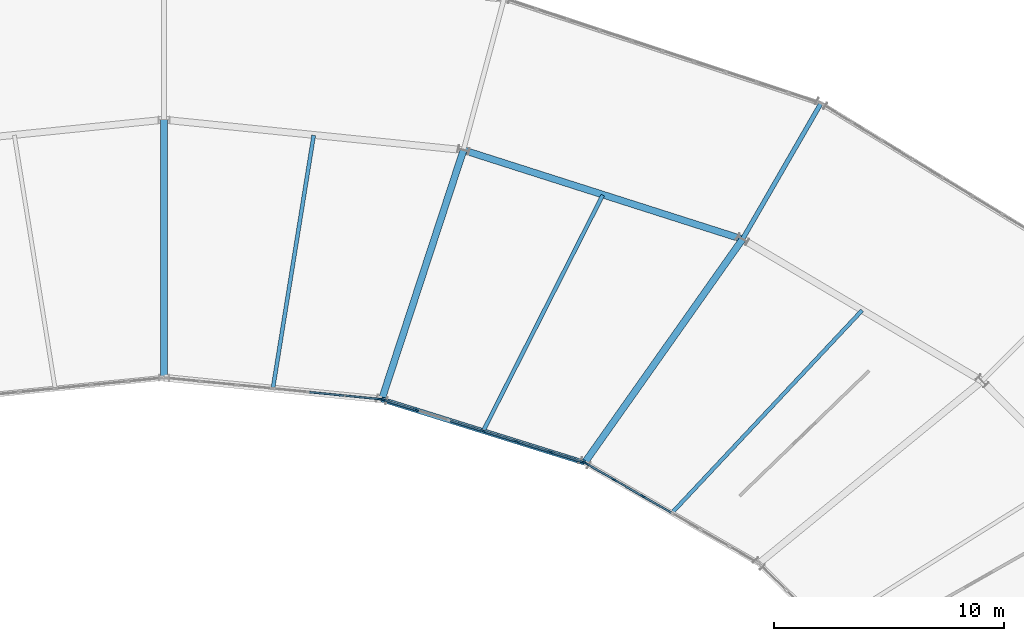
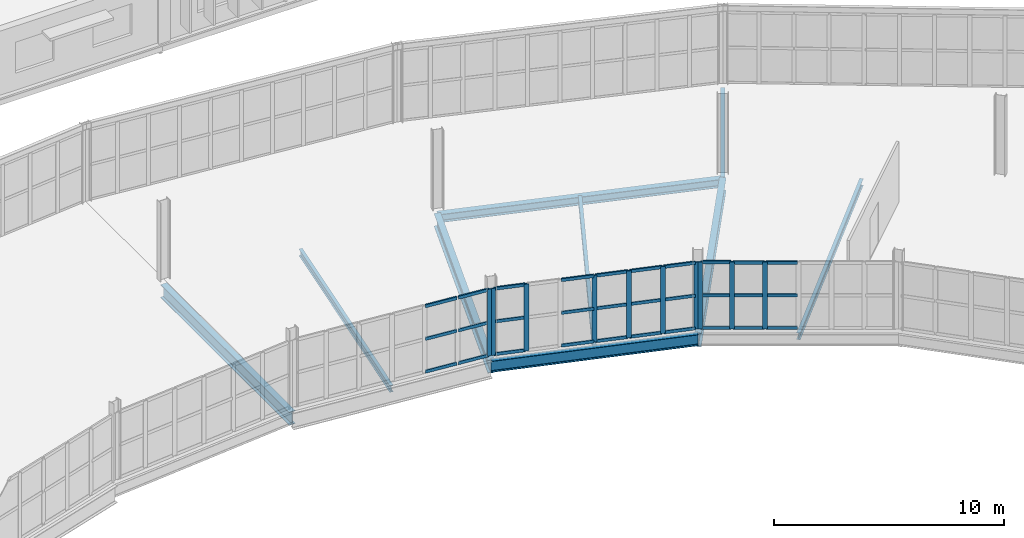
# One storey, part 69 of 161: 40 members, 9 beams, 3 elements without a shape of their own.
"""IFC4 building model written with IfcOpenShell, lengths in metres."""

from ifc_helpers import new_model, si_unit, direction, frame, origin, origin_2d, place, context, subcontext, project, spatial, rectangle, i_section, extrude, material, material_profile, profile_set, type_object, element, aggregate, save


model = new_model("IFC4")

# Units and contexts
model_context = context("Model", 3, precision=1e-05, world=origin(), true_north=direction((0.0, 1.0)))
body_context = subcontext(model_context, "Body", "Model", "MODEL_VIEW")
ifc_project = project(units=[si_unit("LENGTHUNIT", "METRE"), si_unit("AREAUNIT", "SQUARE_METRE"), si_unit("VOLUMEUNIT", "CUBIC_METRE"), si_unit("PLANEANGLEUNIT", "RADIAN"), si_unit("MASSUNIT", "GRAM", prefix="KILO")], contexts=[model_context])

# Site, building, storey
site_placement = place(None, origin())
site = spatial("IfcSite", under=ifc_project, at=site_placement, CompositionType="ELEMENT")
building_placement = place(site_placement, origin())
building = spatial("IfcBuilding", under=site, at=building_placement, Name="Kildeholm Park Wholesale Market", CompositionType="ELEMENT")
storey_placement = place(building_placement, frame((0.0, 0.0, 5.39990234375)))
storey = spatial("IfcBuildingStorey", under=building, at=storey_placement, Name="L01", CompositionType="ELEMENT", Elevation=5.39990234375)

# Beams
ifc_material_1 = material(Name="Steel S355", Category="steel")
ifc_material_profile_1 = material_profile(ifc_material_1, i_section(OverallWidth=0.300048828125, OverallDepth=0.699951171875, WebThickness=0.01708984375, FlangeThickness=0.031982421875, FilletRadius=0.027099609375, at=origin_2d()), Name="HEB 700")
ifc_profile_set_1 = profile_set([ifc_material_profile_1], Name="Steel S355")
beam_type_1 = type_object("IfcBeamType", Name="Beam B-G01 HEB 700", PredefinedType="BEAM", material=ifc_profile_set_1)
beam_1_placement = place(storey_placement, frame((117.25, 113.31591796875, -0.599853515625), z_axis=(0.576894674263, 0.816818544603, 0.0), x_axis=(-0.816818544603, 0.576894674263, 0.0)))
element("IfcBeam", 1, at=beam_1_placement, inside=storey, type_object=beam_type_1, Name="Beam BM-V1-L01-R1-04 BM-0037", PredefinedType="BEAM", context=body_context, shape_type="SweptSolid", body=[
    extrude(i_section(OverallWidth=0.300048828125, OverallDepth=0.699951171875, WebThickness=0.01708984375, FlangeThickness=0.031982421875, FilletRadius=0.027099609375, at=origin_2d()), origin(), (0.0, 0.0, 1.0), 11.8740234375),
])
beam_2_placement = place(storey_placement, frame((108.447021484375, 116.06298828125, -0.599853515625), z_axis=(0.31146940438, 0.950256181319, 0.0), x_axis=(-0.950256181319, 0.31146940438, 0.0)))
element("IfcBeam", 2, at=beam_2_placement, inside=storey, type_object=beam_type_1, Name="Beam BM-V1-L01-R1-05 BM-0047", PredefinedType="BEAM", context=body_context, shape_type="SweptSolid", body=[
    extrude(i_section(OverallWidth=0.300048828125, OverallDepth=0.699951171875, WebThickness=0.01708984375, FlangeThickness=0.031982421875, FilletRadius=0.027099609375, at=origin_2d()), origin(), (0.0, 0.0, 1.0), 11.384521484375),
])
beam_3_placement = place(storey_placement, frame((99.0, 117.0, -0.599853515625), z_axis=(0.0, 1.0, 0.0), x_axis=(-1.0, 0.0, 0.0)))
element("IfcBeam", 3, at=beam_3_placement, inside=storey, type_object=beam_type_1, Name="Beam BM-V1-L01-R1-06 BM-0056", PredefinedType="BEAM", context=body_context, shape_type="SweptSolid", body=[
    extrude(i_section(OverallWidth=0.300048828125, OverallDepth=0.699951171875, WebThickness=0.01708984375, FlangeThickness=0.031982421875, FilletRadius=0.027099609375, at=origin_2d()), origin(), (0.0, 0.0, 1.0), 11.199951171875),
])
ifc_material_profile_2 = material_profile(ifc_material_1, i_section(OverallWidth=0.199951171875, OverallDepth=0.5, WebThickness=0.01025390625, FlangeThickness=0.01611328125, FilletRadius=0.02099609375, at=origin_2d()), Name="IPE 500")
ifc_profile_set_2 = profile_set([ifc_material_profile_2], Name="Steel S355")
beam_type_2 = type_object("IfcBeamType", Name="Beam B-P03 IPE 500", PredefinedType="BEAM", material=ifc_profile_set_2)
beam_4_placement = place(storey_placement, frame((124.10009765625, 123.014892578125, -0.5), z_axis=(0.499977295307, 0.866038511948, 0.0), x_axis=(-0.866038511948, 0.499977295307, 0.0)))
element("IfcBeam", 4, at=beam_4_placement, inside=storey, type_object=beam_type_2, Name="Beam BM-V1-L01-R2-04 BM-0039", PredefinedType="BEAM", context=body_context, shape_type="SweptSolid", body=[
    extrude(i_section(OverallWidth=0.199951171875, OverallDepth=0.5, WebThickness=0.01025390625, FlangeThickness=0.01611328125, FilletRadius=0.02099609375, at=origin_2d()), origin(), (0.0, 0.0, 1.0), 6.800048828125),
])
ifc_material_profile_3 = material_profile(ifc_material_1, i_section(OverallWidth=0.219970703125, OverallDepth=0.60009765625, WebThickness=0.011962890625, FlangeThickness=0.01904296875, FilletRadius=0.02392578125, at=origin_2d()), Name="IPE 600")
ifc_profile_set_3 = profile_set([ifc_material_profile_3], Name="Steel S355")
beam_type_3 = type_object("IfcBeamType", Name="Beam B-P04 IPE 600", PredefinedType="BEAM", material=ifc_profile_set_3)
beam_5_placement = place(storey_placement, frame((117.25, 113.31591796875, -0.5498046875), z_axis=(-0.9545990852, 0.297893582568, 0.0), x_axis=(-0.297893582568, -0.9545990852, 0.0)))
element("IfcBeam", 5, at=beam_5_placement, inside=storey, type_object=beam_type_3, Name="Beam BM-V1-L01-CI-04 BM-0040", PredefinedType="BEAM", context=body_context, shape_type="SweptSolid", body=[
    extrude(i_section(OverallWidth=0.219970703125, OverallDepth=0.60009765625, WebThickness=0.011962890625, FlangeThickness=0.01904296875, FilletRadius=0.02392578125, at=origin_2d()), origin(), (0.0, 0.0, 1.0), 9.2216796875),
])
ifc_material_profile_4 = material_profile(ifc_material_1, i_section(OverallWidth=0.300048828125, OverallDepth=0.43994140625, WebThickness=0.011474609375, FlangeThickness=0.02099609375, FilletRadius=0.027099609375, at=origin_2d()), Name="HEA 450")
ifc_profile_set_4 = profile_set([ifc_material_profile_4], Name="Steel S355")
beam_type_4 = type_object("IfcBeamType", Name="Beam B-R02 HEA 450", PredefinedType="BEAM", material=ifc_profile_set_4)
beam_6_placement = place(storey_placement, frame((124.10009765625, 123.014892578125, -0.469970703125), z_axis=(-0.952608649326, 0.304198555599, 0.0), x_axis=(-0.304198555599, -0.952608649326, 0.0)))
element("IfcBeam", 6, at=beam_6_placement, inside=storey, type_object=beam_type_4, Name="Beam BM-V1-L01-CM-04 BM-0041", PredefinedType="BEAM", context=body_context, shape_type="SweptSolid", body=[
    extrude(i_section(OverallWidth=0.300048828125, OverallDepth=0.43994140625, WebThickness=0.011474609375, FlangeThickness=0.02099609375, FilletRadius=0.027099609375, at=origin_2d()), origin(), (0.0, 0.0, 1.0), 12.70947265625),
])
ifc_material_profile_5 = material_profile(ifc_material_1, i_section(OverallWidth=0.169921875, OverallDepth=0.360107421875, WebThickness=0.008056640625, FlangeThickness=0.0126953125, FilletRadius=0.01806640625, at=origin_2d()), Name="IPE 360")
ifc_profile_set_5 = profile_set([ifc_material_profile_5], Name="Steel S355")
beam_type_5 = type_object("IfcBeamType", Name="Beam J-04 IPE 360", PredefinedType="JOIST", material=ifc_profile_set_5)
beam_7_placement = place(storey_placement, frame((121.043212890625, 111.14501953125, -0.429931640625), z_axis=(0.68439148237, 0.729114736416, 0.0), x_axis=(-0.729114736416, 0.68439148237, 0.0)))
element("IfcBeam", 7, at=beam_7_placement, inside=storey, type_object=beam_type_5, Name="Beam JT-V1-L01-03 BM-0036", PredefinedType="JOIST", context=body_context, shape_type="SweptSolid", body=[
    extrude(i_section(OverallWidth=0.169921875, OverallDepth=0.360107421875, WebThickness=0.008056640625, FlangeThickness=0.0126953125, FilletRadius=0.01806640625, at=origin_2d()), origin(), (0.0, 0.0, 1.0), 12.04248046875),
])
beam_8_placement = place(storey_placement, frame((112.857421875, 114.707275390625, -0.429931640625), z_axis=(0.452004571782, 0.892015620428, 0.0), x_axis=(-0.892015620428, 0.452004571782, 0.0)))
element("IfcBeam", 8, at=beam_8_placement, inside=storey, type_object=beam_type_5, Name="Beam JT-V1-L01-04 BM-0045", PredefinedType="JOIST", context=body_context, shape_type="SweptSolid", body=[
    extrude(i_section(OverallWidth=0.169921875, OverallDepth=0.360107421875, WebThickness=0.008056640625, FlangeThickness=0.0126953125, FilletRadius=0.01806640625, at=origin_2d()), origin(), (0.0, 0.0, 1.0), 11.46044921875),
])
beam_9_placement = place(storey_placement, frame((103.726806640625, 116.55126953125, -0.429931640625), z_axis=(0.158998239013, 0.987278866375, 0.0), x_axis=(-0.987278866375, 0.158998239013, 0.0)))
element("IfcBeam", 9, at=beam_9_placement, inside=storey, type_object=beam_type_5, Name="Beam JT-V1-L01-05 BM-0055", PredefinedType="JOIST", context=body_context, shape_type="SweptSolid", body=[
    extrude(i_section(OverallWidth=0.169921875, OverallDepth=0.360107421875, WebThickness=0.008056640625, FlangeThickness=0.0126953125, FilletRadius=0.01806640625, at=origin_2d()), origin(), (0.0, 0.0, 1.0), 11.11083984375),
])

# Curtain wall, members
ifc_material_2 = material(Name="Anodised aluminium and low-E double-glazed glass", Category="aluminium")
curtain_wall_type = type_object("IfcCurtainWallType", Name="Market hall glazed arcade stick curtain wall CW-01", PredefinedType="NOTDEFINED", material=ifc_material_2)
curtain_wall_1_placement = place(storey_placement, origin())
curtain_wall_1 = element("IfcCurtainWall", 10, at=curtain_wall_1_placement, inside=storey, type_object=curtain_wall_type, Name="Curtain wall CW-V1-IN1-03 CW-0019", PredefinedType="NOTDEFINED")
ifc_material_3 = material(Name="Anodised aluminium", Category="aluminium")
ifc_material_profile_6 = material_profile(ifc_material_3, rectangle(XDim=0.074951171875, YDim=0.219970703125, at=origin_2d()), Name="CWM 75x220")
ifc_profile_set_6 = profile_set([ifc_material_profile_6], Name="Anodised aluminium")
member_type_1 = type_object("IfcMemberType", Name="Curtain-wall mullion CWM-2 CWM 75x220", PredefinedType="MULLION", material=ifc_profile_set_6)
member_1_placement = place(storey_placement, frame((119.78466796875, 111.855712890625, 0.0), z_axis=(0.0, 0.0, 1.0), x_axis=(-0.500489412982, -0.865742656621, 0.0)))
member_1 = element("IfcMember", 11, at=member_1_placement, type_object=member_type_1, Name="CW-01 mullion 5 MEM-0872", PredefinedType="MULLION", context=body_context, shape_type="SweptSolid", body=[
    extrude(rectangle(XDim=0.074951171875, YDim=0.219970703125, at=origin_2d()), origin(), (0.0, 0.0, 1.0), 3.550048828125),
])
member_2_placement = place(storey_placement, frame((118.536376953125, 112.577392578125, 0.0), z_axis=(0.0, 0.0, 1.0), x_axis=(-0.500489412982, -0.865742656621, 0.0)))
member_2 = element("IfcMember", 12, at=member_2_placement, type_object=member_type_1, Name="CW-01 mullion 6 MEM-0873", PredefinedType="MULLION", context=body_context, shape_type="SweptSolid", body=[
    extrude(rectangle(XDim=0.074951171875, YDim=0.219970703125, at=origin_2d()), origin(), (0.0, 0.0, 1.0), 3.550048828125),
])
member_3_placement = place(storey_placement, frame((117.320556640625, 113.2802734375, 0.0), z_axis=(0.0, 0.0, 1.0), x_axis=(-0.500489412982, -0.865742656621, 0.0)))
member_3 = element("IfcMember", 13, at=member_3_placement, type_object=member_type_1, Name="CW-01 mullion 7 MEM-0874", PredefinedType="MULLION", context=body_context, shape_type="SweptSolid", body=[
    extrude(rectangle(XDim=0.074951171875, YDim=0.219970703125, at=origin_2d()), origin(), (0.0, 0.0, 1.0), 3.550048828125),
])

curtain_wall_2_placement = place(storey_placement, origin())
curtain_wall_2 = element("IfcCurtainWall", 14, at=curtain_wall_2_placement, inside=storey, type_object=curtain_wall_type, Name="Curtain wall CW-V1-IN1-04 CW-0024", PredefinedType="NOTDEFINED")
member_4_placement = place(storey_placement, frame((117.17822265625, 113.34228515625, 0.0), z_axis=(0.0, 0.0, 1.0), x_axis=(-0.297957339818, -0.954579186683, 0.0)))
member_4 = element("IfcMember", 15, at=member_4_placement, type_object=member_type_1, Name="CW-01 mullion 1 MEM-1017", PredefinedType="MULLION", context=body_context, shape_type="SweptSolid", body=[
    extrude(rectangle(XDim=0.074951171875, YDim=0.219970703125, at=origin_2d()), origin(), (0.0, 0.0, 1.0), 3.550048828125),
])
member_5_placement = place(storey_placement, frame((115.759521484375, 113.784912109375, 0.0), z_axis=(0.0, 0.0, 1.0), x_axis=(-0.297957339818, -0.954579186683, 0.0)))
member_5 = element("IfcMember", 16, at=member_5_placement, type_object=member_type_1, Name="CW-01 mullion 2 MEM-1018", PredefinedType="MULLION", context=body_context, shape_type="SweptSolid", body=[
    extrude(rectangle(XDim=0.074951171875, YDim=0.219970703125, at=origin_2d()), origin(), (0.0, 0.0, 1.0), 3.550048828125),
])
member_6_placement = place(storey_placement, frame((114.304931640625, 114.239013671875, 0.0), z_axis=(0.0, 0.0, 1.0), x_axis=(-0.297957339818, -0.954579186683, 0.0)))
member_6 = element("IfcMember", 17, at=member_6_placement, type_object=member_type_1, Name="CW-01 mullion 3 MEM-1019", PredefinedType="MULLION", context=body_context, shape_type="SweptSolid", body=[
    extrude(rectangle(XDim=0.074951171875, YDim=0.219970703125, at=origin_2d()), origin(), (0.0, 0.0, 1.0), 3.550048828125),
])
member_7_placement = place(storey_placement, frame((112.8505859375, 114.693115234375, 0.0), z_axis=(0.0, 0.0, 1.0), x_axis=(-0.297957339818, -0.954579186683, 0.0)))
member_7 = element("IfcMember", 18, at=member_7_placement, type_object=member_type_1, Name="CW-01 mullion 4 MEM-1020", PredefinedType="MULLION", context=body_context, shape_type="SweptSolid", body=[
    extrude(rectangle(XDim=0.074951171875, YDim=0.219970703125, at=origin_2d()), origin(), (0.0, 0.0, 1.0), 3.550048828125),
])
member_8_placement = place(storey_placement, frame((109.94140625, 115.60107421875, 0.0), z_axis=(0.0, 0.0, 1.0), x_axis=(-0.297957339818, -0.954579186683, 0.0)))
member_8 = element("IfcMember", 19, at=member_8_placement, type_object=member_type_1, Name="CW-01 mullion 6 MEM-1022", PredefinedType="MULLION", context=body_context, shape_type="SweptSolid", body=[
    extrude(rectangle(XDim=0.074951171875, YDim=0.219970703125, at=origin_2d()), origin(), (0.0, 0.0, 1.0), 3.550048828125),
])
member_9_placement = place(storey_placement, frame((108.522705078125, 116.0439453125, 0.0), z_axis=(0.0, 0.0, 1.0), x_axis=(-0.297957339818, -0.954579186683, 0.0)))
member_9 = element("IfcMember", 20, at=member_9_placement, type_object=member_type_1, Name="CW-01 mullion 7 MEM-1023", PredefinedType="MULLION", context=body_context, shape_type="SweptSolid", body=[
    extrude(rectangle(XDim=0.074951171875, YDim=0.219970703125, at=origin_2d()), origin(), (0.0, 0.0, 1.0), 3.550048828125),
])

# Curtain wall, member
curtain_wall_3_placement = place(storey_placement, origin())
curtain_wall_3 = element("IfcCurtainWall", 21, at=curtain_wall_3_placement, inside=storey, type_object=curtain_wall_type, Name="Curtain wall CW-V1-IN1-05 CW-0028", PredefinedType="NOTDEFINED")
member_10_placement = place(storey_placement, frame((108.37060546875, 116.07470703125, 0.0), z_axis=(0.0, 0.0, 1.0), x_axis=(-0.098683331174, -0.995118887444, 0.0)))
member_10 = element("IfcMember", 22, at=member_10_placement, type_object=member_type_1, Name="CW-01 mullion 1 MEM-1145", PredefinedType="MULLION", context=body_context, shape_type="SweptSolid", body=[
    extrude(rectangle(XDim=0.074951171875, YDim=0.219970703125, at=origin_2d()), origin(), (0.0, 0.0, 1.0), 3.550048828125),
])

# Member
ifc_material_profile_7 = material_profile(ifc_material_3, rectangle(XDim=0.074951171875, YDim=0.159912109375, at=origin_2d()), Name="CWT 75x160")
ifc_profile_set_7 = profile_set([ifc_material_profile_7], Name="Anodised aluminium")
member_type_2 = type_object("IfcMemberType", Name="Curtain-wall transom CWT-2 CWT 75x160", PredefinedType="USERDEFINED", material=ifc_profile_set_7)
member_11_placement = place(storey_placement, frame((121.00048828125, 111.15283203125, 0.03759765625), z_axis=(-0.865748132987, 0.500479939887, 0.0), x_axis=(-0.500479939887, -0.865748132987, 0.0)))
member_11 = element("IfcMember", 23, at=member_11_placement, type_object=member_type_2, Name="CW-01 transom 4.1 MEM-0884", ObjectType="TRANSOM", PredefinedType="USERDEFINED", context=body_context, shape_type="SweptSolid", body=[
    extrude(rectangle(XDim=0.074951171875, YDim=0.159912109375, at=origin_2d()), origin(), (0.0, 0.0, 1.0), 1.366943359375),
])

member_12_placement = place(storey_placement, frame((121.00048828125, 111.15283203125, 1.775146484375), z_axis=(-0.865748132987, 0.500479939887, 0.0), x_axis=(-0.500479939887, -0.865748132987, 0.0)))
member_12 = element("IfcMember", 24, at=member_12_placement, type_object=member_type_2, Name="CW-01 transom 4.2 MEM-0885", ObjectType="TRANSOM", PredefinedType="USERDEFINED", context=body_context, shape_type="SweptSolid", body=[
    extrude(rectangle(XDim=0.074951171875, YDim=0.159912109375, at=origin_2d()), origin(), (0.0, 0.0, 1.0), 1.366943359375),
])

member_13_placement = place(storey_placement, frame((121.00048828125, 111.15283203125, 3.5126953125), z_axis=(-0.865748132987, 0.500479939887, 0.0), x_axis=(-0.500479939887, -0.865748132987, 0.0)))
member_13 = element("IfcMember", 25, at=member_13_placement, type_object=member_type_2, Name="CW-01 transom 4.3 MEM-0886", ObjectType="TRANSOM", PredefinedType="USERDEFINED", context=body_context, shape_type="SweptSolid", body=[
    extrude(rectangle(XDim=0.074951171875, YDim=0.159912109375, at=origin_2d()), origin(), (0.0, 0.0, 1.0), 1.366943359375),
])

member_14_placement = place(storey_placement, frame((119.752197265625, 111.87451171875, 0.03759765625), z_axis=(-0.865748132987, 0.500479939887, 0.0), x_axis=(-0.500479939887, -0.865748132987, 0.0)))
member_14 = element("IfcMember", 26, at=member_14_placement, type_object=member_type_2, Name="CW-01 transom 5.1 MEM-0887", ObjectType="TRANSOM", PredefinedType="USERDEFINED", context=body_context, shape_type="SweptSolid", body=[
    extrude(rectangle(XDim=0.074951171875, YDim=0.159912109375, at=origin_2d()), origin(), (0.0, 0.0, 1.0), 1.366943359375),
])

member_15_placement = place(storey_placement, frame((119.752197265625, 111.87451171875, 1.775146484375), z_axis=(-0.865748132987, 0.500479939887, 0.0), x_axis=(-0.500479939887, -0.865748132987, 0.0)))
member_15 = element("IfcMember", 27, at=member_15_placement, type_object=member_type_2, Name="CW-01 transom 5.2 MEM-0888", ObjectType="TRANSOM", PredefinedType="USERDEFINED", context=body_context, shape_type="SweptSolid", body=[
    extrude(rectangle(XDim=0.074951171875, YDim=0.159912109375, at=origin_2d()), origin(), (0.0, 0.0, 1.0), 1.366943359375),
])

member_16_placement = place(storey_placement, frame((119.752197265625, 111.87451171875, 3.5126953125), z_axis=(-0.865748132987, 0.500479939887, 0.0), x_axis=(-0.500479939887, -0.865748132987, 0.0)))
member_16 = element("IfcMember", 28, at=member_16_placement, type_object=member_type_2, Name="CW-01 transom 5.3 MEM-0889", ObjectType="TRANSOM", PredefinedType="USERDEFINED", context=body_context, shape_type="SweptSolid", body=[
    extrude(rectangle(XDim=0.074951171875, YDim=0.159912109375, at=origin_2d()), origin(), (0.0, 0.0, 1.0), 1.366943359375),
])

member_17_placement = place(storey_placement, frame((118.50390625, 112.59619140625, 0.03759765625), z_axis=(-0.865757211821, 0.500464234666, 0.0), x_axis=(-0.500464234666, -0.865757211821, 0.0)))
member_17 = element("IfcMember", 29, at=member_17_placement, type_object=member_type_2, Name="CW-01 transom 6.1 MEM-0890", ObjectType="TRANSOM", PredefinedType="USERDEFINED", context=body_context, shape_type="SweptSolid", body=[
    extrude(rectangle(XDim=0.074951171875, YDim=0.159912109375, at=origin_2d()), origin(), (0.0, 0.0, 1.0), 1.329345703125),
])

member_18_placement = place(storey_placement, frame((118.50390625, 112.59619140625, 1.775146484375), z_axis=(-0.865757211821, 0.500464234666, 0.0), x_axis=(-0.500464234666, -0.865757211821, 0.0)))
member_18 = element("IfcMember", 30, at=member_18_placement, type_object=member_type_2, Name="CW-01 transom 6.2 MEM-0891", ObjectType="TRANSOM", PredefinedType="USERDEFINED", context=body_context, shape_type="SweptSolid", body=[
    extrude(rectangle(XDim=0.074951171875, YDim=0.159912109375, at=origin_2d()), origin(), (0.0, 0.0, 1.0), 1.329345703125),
])

member_19_placement = place(storey_placement, frame((118.50390625, 112.59619140625, 3.5126953125), z_axis=(-0.865757211821, 0.500464234666, 0.0), x_axis=(-0.500464234666, -0.865757211821, 0.0)))
member_19 = element("IfcMember", 31, at=member_19_placement, type_object=member_type_2, Name="CW-01 transom 6.3 MEM-0892", ObjectType="TRANSOM", PredefinedType="USERDEFINED", context=body_context, shape_type="SweptSolid", body=[
    extrude(rectangle(XDim=0.074951171875, YDim=0.159912109375, at=origin_2d()), origin(), (0.0, 0.0, 1.0), 1.329345703125),
])

aggregate(curtain_wall_1, [member_1, member_2, member_3, member_11, member_12, member_13, member_14, member_15, member_16, member_17, member_18, member_19])

member_20_placement = place(storey_placement, frame((117.142333984375, 113.353271484375, 0.03759765625), z_axis=(-0.954532299309, 0.298107513451, 0.0), x_axis=(-0.298107513451, -0.954532299309, 0.0)))
member_20 = element("IfcMember", 32, at=member_20_placement, type_object=member_type_2, Name="CW-01 transom 1.1 MEM-1024", ObjectType="TRANSOM", PredefinedType="USERDEFINED", context=body_context, shape_type="SweptSolid", body=[
    extrude(rectangle(XDim=0.074951171875, YDim=0.159912109375, at=origin_2d()), origin(), (0.0, 0.0, 1.0), 1.4111328125),
])

member_21_placement = place(storey_placement, frame((117.142333984375, 113.353271484375, 1.775146484375), z_axis=(-0.954532299309, 0.298107513451, 0.0), x_axis=(-0.298107513451, -0.954532299309, 0.0)))
member_21 = element("IfcMember", 33, at=member_21_placement, type_object=member_type_2, Name="CW-01 transom 1.2 MEM-1025", ObjectType="TRANSOM", PredefinedType="USERDEFINED", context=body_context, shape_type="SweptSolid", body=[
    extrude(rectangle(XDim=0.074951171875, YDim=0.159912109375, at=origin_2d()), origin(), (0.0, 0.0, 1.0), 1.4111328125),
])

member_22_placement = place(storey_placement, frame((117.142333984375, 113.353271484375, 3.5126953125), z_axis=(-0.954532299309, 0.298107513451, 0.0), x_axis=(-0.298107513451, -0.954532299309, 0.0)))
member_22 = element("IfcMember", 34, at=member_22_placement, type_object=member_type_2, Name="CW-01 transom 1.3 MEM-1026", ObjectType="TRANSOM", PredefinedType="USERDEFINED", context=body_context, shape_type="SweptSolid", body=[
    extrude(rectangle(XDim=0.074951171875, YDim=0.159912109375, at=origin_2d()), origin(), (0.0, 0.0, 1.0), 1.4111328125),
])

member_23_placement = place(storey_placement, frame((115.7236328125, 113.796142578125, 0.03759765625), z_axis=(-0.954575890989, 0.297967898176, 0.0), x_axis=(-0.297967898176, -0.954575890989, 0.0)))
member_23 = element("IfcMember", 35, at=member_23_placement, type_object=member_type_2, Name="CW-01 transom 2.1 MEM-1027", ObjectType="TRANSOM", PredefinedType="USERDEFINED", context=body_context, shape_type="SweptSolid", body=[
    extrude(rectangle(XDim=0.074951171875, YDim=0.159912109375, at=origin_2d()), origin(), (0.0, 0.0, 1.0), 1.44873046875),
])

member_24_placement = place(storey_placement, frame((115.7236328125, 113.796142578125, 1.775146484375), z_axis=(-0.954575890989, 0.297967898176, 0.0), x_axis=(-0.297967898176, -0.954575890989, 0.0)))
member_24 = element("IfcMember", 36, at=member_24_placement, type_object=member_type_2, Name="CW-01 transom 2.2 MEM-1028", ObjectType="TRANSOM", PredefinedType="USERDEFINED", context=body_context, shape_type="SweptSolid", body=[
    extrude(rectangle(XDim=0.074951171875, YDim=0.159912109375, at=origin_2d()), origin(), (0.0, 0.0, 1.0), 1.44873046875),
])

member_25_placement = place(storey_placement, frame((115.7236328125, 113.796142578125, 3.5126953125), z_axis=(-0.954575890989, 0.297967898176, 0.0), x_axis=(-0.297967898176, -0.954575890989, 0.0)))
member_25 = element("IfcMember", 37, at=member_25_placement, type_object=member_type_2, Name="CW-01 transom 2.3 MEM-1029", ObjectType="TRANSOM", PredefinedType="USERDEFINED", context=body_context, shape_type="SweptSolid", body=[
    extrude(rectangle(XDim=0.074951171875, YDim=0.159912109375, at=origin_2d()), origin(), (0.0, 0.0, 1.0), 1.44873046875),
])

member_26_placement = place(storey_placement, frame((114.269287109375, 114.250244140625, 0.03759765625), z_axis=(-0.954590850637, 0.297919968919, 0.0), x_axis=(-0.297919968919, -0.954590850637, 0.0)))
member_26 = element("IfcMember", 38, at=member_26_placement, type_object=member_type_2, Name="CW-01 transom 3.1 MEM-1030", ObjectType="TRANSOM", PredefinedType="USERDEFINED", context=body_context, shape_type="SweptSolid", body=[
    extrude(rectangle(XDim=0.074951171875, YDim=0.159912109375, at=origin_2d()), origin(), (0.0, 0.0, 1.0), 1.44873046875),
])

member_27_placement = place(storey_placement, frame((114.269287109375, 114.250244140625, 1.775146484375), z_axis=(-0.954590850637, 0.297919968919, 0.0), x_axis=(-0.297919968919, -0.954590850637, 0.0)))
member_27 = element("IfcMember", 39, at=member_27_placement, type_object=member_type_2, Name="CW-01 transom 3.2 MEM-1031", ObjectType="TRANSOM", PredefinedType="USERDEFINED", context=body_context, shape_type="SweptSolid", body=[
    extrude(rectangle(XDim=0.074951171875, YDim=0.159912109375, at=origin_2d()), origin(), (0.0, 0.0, 1.0), 1.44873046875),
])

member_28_placement = place(storey_placement, frame((114.269287109375, 114.250244140625, 3.5126953125), z_axis=(-0.954590850637, 0.297919968919, 0.0), x_axis=(-0.297919968919, -0.954590850637, 0.0)))
member_28 = element("IfcMember", 40, at=member_28_placement, type_object=member_type_2, Name="CW-01 transom 3.3 MEM-1032", ObjectType="TRANSOM", PredefinedType="USERDEFINED", context=body_context, shape_type="SweptSolid", body=[
    extrude(rectangle(XDim=0.074951171875, YDim=0.159912109375, at=origin_2d()), origin(), (0.0, 0.0, 1.0), 1.44873046875),
])

member_29_placement = place(storey_placement, frame((112.814697265625, 114.7041015625, 0.03759765625), z_axis=(-0.954575890989, 0.297967898176, 0.0), x_axis=(-0.297967898176, -0.954575890989, 0.0)))
member_29 = element("IfcMember", 41, at=member_29_placement, type_object=member_type_2, Name="CW-01 transom 4.1 MEM-1033", ObjectType="TRANSOM", PredefinedType="USERDEFINED", context=body_context, shape_type="SweptSolid", body=[
    extrude(rectangle(XDim=0.074951171875, YDim=0.159912109375, at=origin_2d()), origin(), (0.0, 0.0, 1.0), 1.44873046875),
])

member_30_placement = place(storey_placement, frame((112.814697265625, 114.7041015625, 1.775146484375), z_axis=(-0.954575890989, 0.297967898176, 0.0), x_axis=(-0.297967898176, -0.954575890989, 0.0)))
member_30 = element("IfcMember", 42, at=member_30_placement, type_object=member_type_2, Name="CW-01 transom 4.2 MEM-1034", ObjectType="TRANSOM", PredefinedType="USERDEFINED", context=body_context, shape_type="SweptSolid", body=[
    extrude(rectangle(XDim=0.074951171875, YDim=0.159912109375, at=origin_2d()), origin(), (0.0, 0.0, 1.0), 1.44873046875),
])

member_31_placement = place(storey_placement, frame((112.814697265625, 114.7041015625, 3.5126953125), z_axis=(-0.954575890989, 0.297967898176, 0.0), x_axis=(-0.297967898176, -0.954575890989, 0.0)))
member_31 = element("IfcMember", 43, at=member_31_placement, type_object=member_type_2, Name="CW-01 transom 4.3 MEM-1035", ObjectType="TRANSOM", PredefinedType="USERDEFINED", context=body_context, shape_type="SweptSolid", body=[
    extrude(rectangle(XDim=0.074951171875, YDim=0.159912109375, at=origin_2d()), origin(), (0.0, 0.0, 1.0), 1.44873046875),
])

member_32_placement = place(storey_placement, frame((109.90576171875, 115.612060546875, 0.03759765625), z_axis=(-0.954547671151, 0.298058288763, 0.0), x_axis=(-0.298058288763, -0.954547671151, 0.0)))
member_32 = element("IfcMember", 44, at=member_32_placement, type_object=member_type_2, Name="CW-01 transom 6.1 MEM-1039", ObjectType="TRANSOM", PredefinedType="USERDEFINED", context=body_context, shape_type="SweptSolid", body=[
    extrude(rectangle(XDim=0.074951171875, YDim=0.159912109375, at=origin_2d()), origin(), (0.0, 0.0, 1.0), 1.411376953125),
])

member_33_placement = place(storey_placement, frame((109.90576171875, 115.612060546875, 1.775146484375), z_axis=(-0.954547671151, 0.298058288763, 0.0), x_axis=(-0.298058288763, -0.954547671151, 0.0)))
member_33 = element("IfcMember", 45, at=member_33_placement, type_object=member_type_2, Name="CW-01 transom 6.2 MEM-1040", ObjectType="TRANSOM", PredefinedType="USERDEFINED", context=body_context, shape_type="SweptSolid", body=[
    extrude(rectangle(XDim=0.074951171875, YDim=0.159912109375, at=origin_2d()), origin(), (0.0, 0.0, 1.0), 1.411376953125),
])

member_34_placement = place(storey_placement, frame((109.90576171875, 115.612060546875, 3.5126953125), z_axis=(-0.954547671151, 0.298058288763, 0.0), x_axis=(-0.298058288763, -0.954547671151, 0.0)))
member_34 = element("IfcMember", 46, at=member_34_placement, type_object=member_type_2, Name="CW-01 transom 6.3 MEM-1041", ObjectType="TRANSOM", PredefinedType="USERDEFINED", context=body_context, shape_type="SweptSolid", body=[
    extrude(rectangle(XDim=0.074951171875, YDim=0.159912109375, at=origin_2d()), origin(), (0.0, 0.0, 1.0), 1.411376953125),
])

aggregate(curtain_wall_2, [member_4, member_5, member_6, member_7, member_8, member_9, member_20, member_21, member_22, member_23, member_24, member_25, member_26, member_27, member_28, member_29, member_30, member_31, member_32, member_33, member_34])

member_35_placement = place(storey_placement, frame((108.333251953125, 116.078369140625, 0.03759765625), z_axis=(-0.995113248343, 0.098740179123, 0.0), x_axis=(-0.098740179123, -0.995113248343, 0.0)))
member_35 = element("IfcMember", 47, at=member_35_placement, type_object=member_type_2, Name="CW-01 transom 1.1 MEM-1152", ObjectType="TRANSOM", PredefinedType="USERDEFINED", context=body_context, shape_type="SweptSolid", body=[
    extrude(rectangle(XDim=0.074951171875, YDim=0.159912109375, at=origin_2d()), origin(), (0.0, 0.0, 1.0), 1.456298828125),
])

member_36_placement = place(storey_placement, frame((108.333251953125, 116.078369140625, 1.775146484375), z_axis=(-0.995113248343, 0.098740179123, 0.0), x_axis=(-0.098740179123, -0.995113248343, 0.0)))
member_36 = element("IfcMember", 48, at=member_36_placement, type_object=member_type_2, Name="CW-01 transom 1.2 MEM-1153", ObjectType="TRANSOM", PredefinedType="USERDEFINED", context=body_context, shape_type="SweptSolid", body=[
    extrude(rectangle(XDim=0.074951171875, YDim=0.159912109375, at=origin_2d()), origin(), (0.0, 0.0, 1.0), 1.456298828125),
])

member_37_placement = place(storey_placement, frame((108.333251953125, 116.078369140625, 3.5126953125), z_axis=(-0.995113248343, 0.098740179123, 0.0), x_axis=(-0.098740179123, -0.995113248343, 0.0)))
member_37 = element("IfcMember", 49, at=member_37_placement, type_object=member_type_2, Name="CW-01 transom 1.3 MEM-1154", ObjectType="TRANSOM", PredefinedType="USERDEFINED", context=body_context, shape_type="SweptSolid", body=[
    extrude(rectangle(XDim=0.074951171875, YDim=0.159912109375, at=origin_2d()), origin(), (0.0, 0.0, 1.0), 1.456298828125),
])

member_38_placement = place(storey_placement, frame((106.809326171875, 116.2294921875, 0.03759765625), z_axis=(-0.995116161416, 0.098710816472, 0.0), x_axis=(-0.098710816472, -0.995116161416, 0.0)))
member_38 = element("IfcMember", 50, at=member_38_placement, type_object=member_type_2, Name="CW-01 transom 2.1 MEM-1155", ObjectType="TRANSOM", PredefinedType="USERDEFINED", context=body_context, shape_type="SweptSolid", body=[
    extrude(rectangle(XDim=0.074951171875, YDim=0.159912109375, at=origin_2d()), origin(), (0.0, 0.0, 1.0), 1.493896484375),
])

member_39_placement = place(storey_placement, frame((106.809326171875, 116.2294921875, 1.775146484375), z_axis=(-0.995116161416, 0.098710816472, 0.0), x_axis=(-0.098710816472, -0.995116161416, 0.0)))
member_39 = element("IfcMember", 51, at=member_39_placement, type_object=member_type_2, Name="CW-01 transom 2.2 MEM-1156", ObjectType="TRANSOM", PredefinedType="USERDEFINED", context=body_context, shape_type="SweptSolid", body=[
    extrude(rectangle(XDim=0.074951171875, YDim=0.159912109375, at=origin_2d()), origin(), (0.0, 0.0, 1.0), 1.493896484375),
])

member_40_placement = place(storey_placement, frame((106.809326171875, 116.2294921875, 3.5126953125), z_axis=(-0.995116161416, 0.098710816472, 0.0), x_axis=(-0.098710816472, -0.995116161416, 0.0)))
member_40 = element("IfcMember", 52, at=member_40_placement, type_object=member_type_2, Name="CW-01 transom 2.3 MEM-1157", ObjectType="TRANSOM", PredefinedType="USERDEFINED", context=body_context, shape_type="SweptSolid", body=[
    extrude(rectangle(XDim=0.074951171875, YDim=0.159912109375, at=origin_2d()), origin(), (0.0, 0.0, 1.0), 1.493896484375),
])

aggregate(curtain_wall_3, [member_10, member_35, member_36, member_37, member_38, member_39, member_40])

save(model, "model.ifc")
